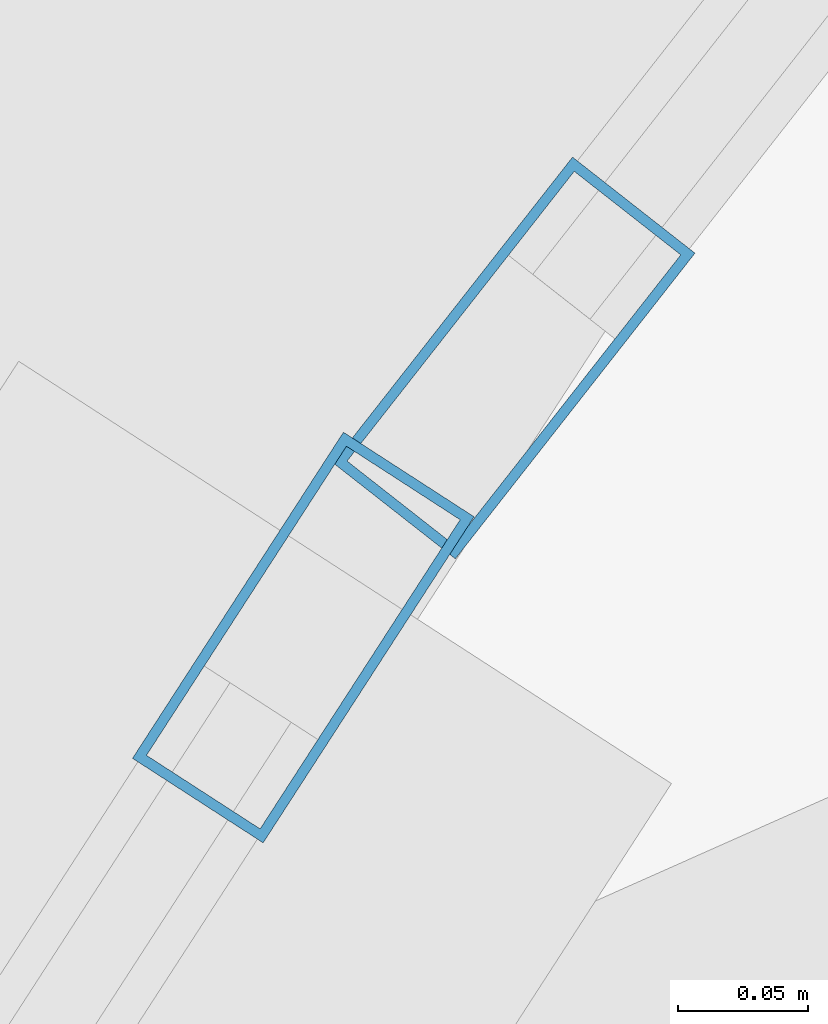
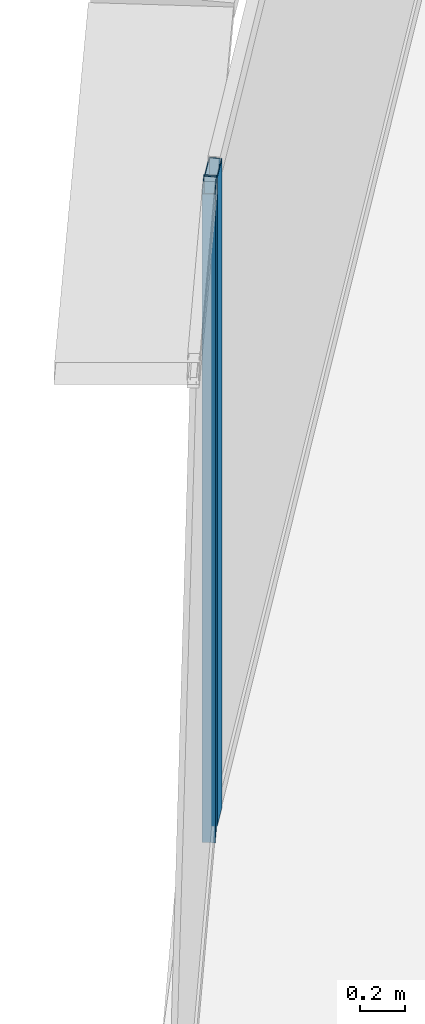
# One storey, part 18 of 40: 2 members, 2 elements without a shape of their own.
"""IFC4 building model written with IfcOpenShell, lengths in metres."""

from ifc_helpers import new_model, si_unit, direction, frame, origin, origin_2d, place, context, subcontext, project, spatial, hollow_rectangle, extrude, source, transform, mapped, material, layer, layer_set, material_profile, profile_set, type_object, element, aggregate, save


model = new_model("IFC4")

# Units and contexts
model_context = context("Model", 3, precision=1e-05, world=origin(), true_north=direction((0.0, 1.0)))
body_context = subcontext(model_context, "Body", "Model", "MODEL_VIEW")
ifc_project = project(units=[si_unit("LENGTHUNIT", "METRE"), si_unit("AREAUNIT", "SQUARE_METRE"), si_unit("VOLUMEUNIT", "CUBIC_METRE"), si_unit("PLANEANGLEUNIT", "RADIAN"), si_unit("MASSUNIT", "GRAM", prefix="KILO"), si_unit("THERMODYNAMICTEMPERATUREUNIT", "KELVIN"), si_unit("POWERUNIT", "WATT")], contexts=[model_context])

# Site, building, storey
site_placement = place(None, origin())
site = spatial("IfcSite", under=ifc_project, at=site_placement, CompositionType="ELEMENT")
building_placement = place(site_placement, origin())
building = spatial("IfcBuilding", under=site, at=building_placement, Name="Yunzhuo Pagoda Commons", CompositionType="ELEMENT")
storey_placement = place(building_placement, frame((0.0, 0.0, 180.9599609375)))
storey = spatial("IfcBuildingStorey", under=building, at=storey_placement, Name="L45", CompositionType="ELEMENT", Elevation=180.9599609375)

# Curtain wall, member
ifc_material = material(Name="Anodized aluminium 6063-T6", Category="aluminium")
ifc_layer = layer(ifc_material, 0.14990234375)
ifc_layer_set = layer_set([ifc_layer], Name="Anodized aluminium 6063-T6")
curtain_wall_type = type_object("IfcCurtainWallType", Name="CW-MID Mid-Zone Ribbon Curtain Wall", PredefinedType="NOTDEFINED", material=ifc_layer_set)
curtain_wall_1_placement = place(storey_placement, origin())
curtain_wall_1 = element("IfcCurtainWall", 1, at=curtain_wall_1_placement, inside=storey, type_object=curtain_wall_type, Name="L45 curtain wall CW-L45-F3B2", PredefinedType="NOTDEFINED")
ifc_material_profile = material_profile(ifc_material, hollow_rectangle(XDim=0.06005859375, YDim=0.14990234375, WallThickness=0.00390625, at=origin_2d()), Name="Anodized aluminium 6063-T6")
ifc_profile_set = profile_set([ifc_material_profile], Name="Anodized aluminium 6063-T6")
member_type = type_object("IfcMemberType", Name="CW-MID-M Mullion RHS 150x60x4", PredefinedType="MULLION", material=ifc_profile_set)
shared_shape = source(origin(), body_context, "Body", "SweptSolid", [
    extrude(hollow_rectangle(XDim=0.06005859375, YDim=0.14990234375, WallThickness=0.00390625, at=origin_2d()), origin(), (0.0, 0.0, 1.0), 3.5400390625),
])
member_1_placement = place(storey_placement, frame((32.284423828125, 68.93603515625, 0.0), z_axis=(0.0, 0.0, 1.0), x_axis=(0.839626850374, -0.543163651335, 0.0)))
member_1 = element("IfcMember", 2, at=member_1_placement, type_object=member_type, Name="CW mullion 1", PredefinedType="MULLION", context=body_context, shape_type="MappedRepresentation", body=[
    mapped(shared_shape, transform((0.0, 0.0, 0.0), scale=1.0)),
])
aggregate(curtain_wall_1, [member_1])

curtain_wall_2_placement = place(storey_placement, origin())
curtain_wall_2 = element("IfcCurtainWall", 3, at=curtain_wall_2_placement, inside=storey, type_object=curtain_wall_type, Name="L45 curtain wall CW-L45-F3B1", PredefinedType="NOTDEFINED")
member_2_placement = place(storey_placement, frame((32.36572265625, 69.0439453125, 0.0), z_axis=(0.0, 0.0, 1.0), x_axis=(0.786950244655, -0.617016460427, 0.0)))
member_2 = element("IfcMember", 4, at=member_2_placement, type_object=member_type, Name="CW mullion 2", PredefinedType="MULLION", context=body_context, shape_type="MappedRepresentation", body=[
    mapped(shared_shape, transform((0.0, 0.0, 0.0), scale=1.0)),
])
aggregate(curtain_wall_2, [member_2])

save(model, "model.ifc")
